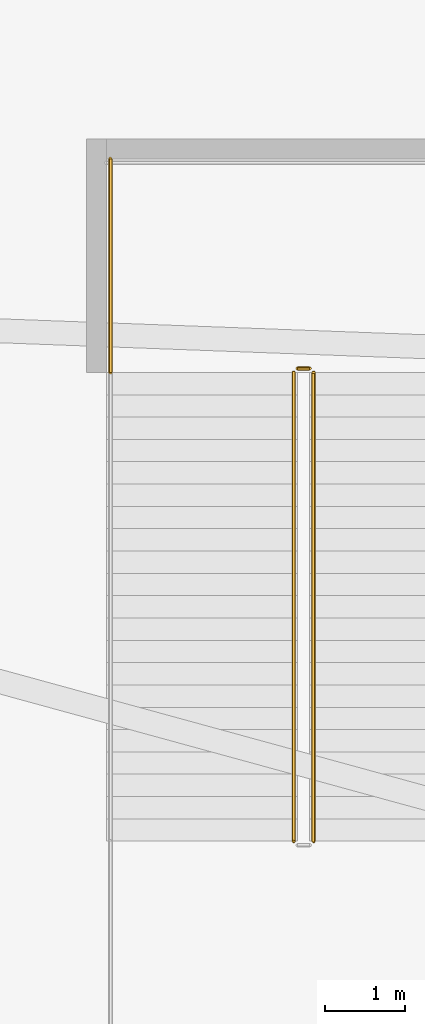
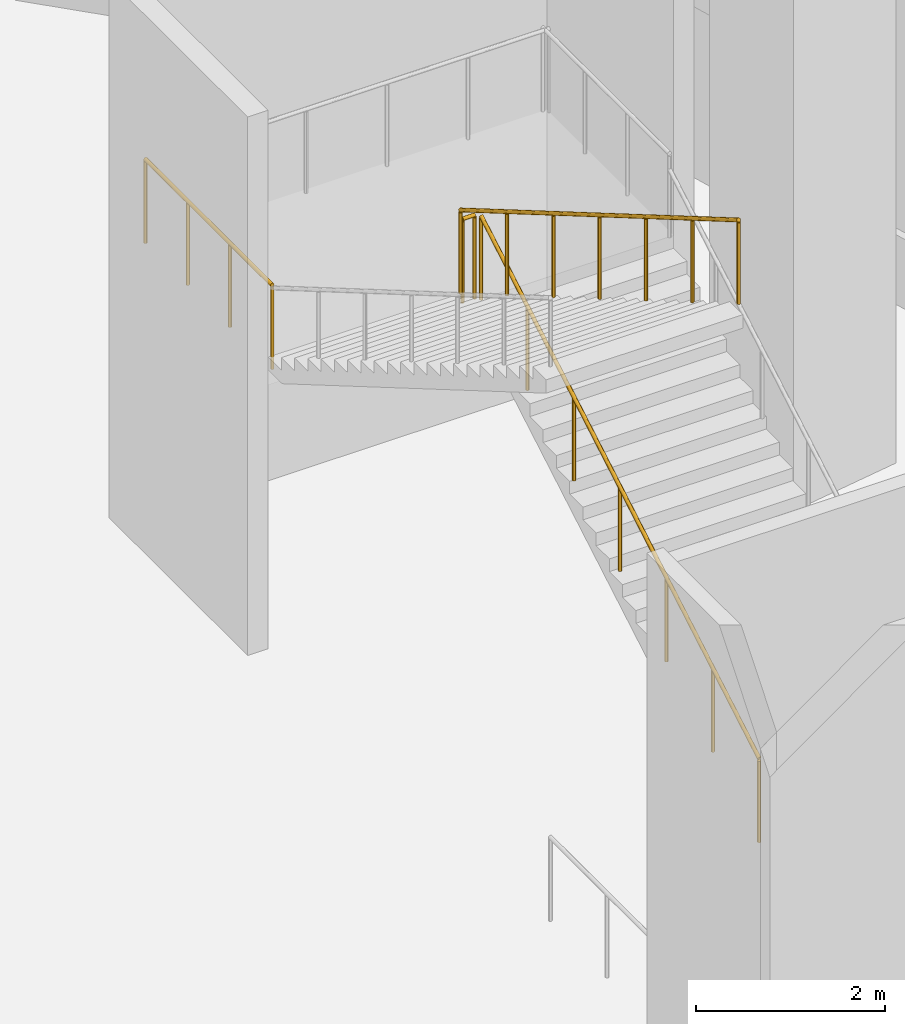
# One storey, part 23 of 27: 4 railings.
"""IFC4 building model written with IfcOpenShell, lengths in metres."""

from ifc_helpers import new_model, si_unit, direction, frame, origin, origin_2d, place, context, subcontext, project, spatial, circle, extrude, material, type_object, element, save


model = new_model("IFC4")

# Units and contexts
model_context = context("Model", 3, precision=1e-05, world=origin(), true_north=direction((0.0, 1.0)))
body_context = subcontext(model_context, "Body", "Model", "MODEL_VIEW")
ifc_project = project(units=[si_unit("LENGTHUNIT", "METRE"), si_unit("AREAUNIT", "SQUARE_METRE"), si_unit("VOLUMEUNIT", "CUBIC_METRE"), si_unit("PLANEANGLEUNIT", "RADIAN"), si_unit("MASSUNIT", "GRAM", prefix="KILO")], contexts=[model_context])

# Site, building, storey
site_placement = place(None, origin())
site = spatial("IfcSite", under=ifc_project, at=site_placement, CompositionType="ELEMENT")
building_placement = place(site_placement, origin())
building = spatial("IfcBuilding", under=site, at=building_placement, Name="Rubra Terraces Tower", CompositionType="ELEMENT")
storey_placement = place(building_placement, origin())
storey = spatial("IfcBuildingStorey", under=building, at=storey_placement, Name="L00", CompositionType="ELEMENT", Elevation=0.0)

# Railings
ifc_material = material(Name="Stainless steel", Category="steel")
railing_type = type_object("IfcRailingType", Name="Public stair guard 1100", PredefinedType="GUARDRAIL", material=ifc_material)
railing_1_placement = place(storey_placement, frame((22.550048828125, -2.60009765625, 0.16357421875)))
element("IfcRailing", 1, at=railing_1_placement, inside=storey, type_object=railing_type, Name="L00 PS2 stair guard 1", PredefinedType="GUARDRAIL", context=body_context, shape_type="SweptSolid", body=[
    extrude(circle(Radius=0.02392578125, at=origin_2d()), frame((0.0, 0.0, 1.076171875), z_axis=(0.0, 0.863366468381, 0.504577388787), x_axis=(-1.0, 0.0, 0.0)), (0.0, 0.0, 1.0), 6.810791015625),
    extrude(circle(Radius=0.02099609375, at=origin_2d()), origin(), (0.0, 0.0, 1.0), 1.052001953125),
    extrude(circle(Radius=0.02099609375, at=origin_2d()), frame((0.0, 0.97998046875, 0.57275390625)), (0.0, 0.0, 1.0), 1.052001953125),
    extrude(circle(Radius=0.02099609375, at=origin_2d()), frame((0.0, 1.9599609375, 1.1455078125)), (0.0, 0.0, 1.0), 1.052001953125),
    extrude(circle(Radius=0.02099609375, at=origin_2d()), frame((0.0, 2.93994140625, 1.71826171875)), (0.0, 0.0, 1.0), 1.052001953125),
    extrude(circle(Radius=0.02099609375, at=origin_2d()), frame((0.0, 3.920166015625, 2.291015625)), (0.0, 0.0, 1.0), 1.052001953125),
    extrude(circle(Radius=0.02099609375, at=origin_2d()), frame((0.0, 4.900146484375, 2.86376953125)), (0.0, 0.0, 1.0), 1.052001953125),
    extrude(circle(Radius=0.02099609375, at=origin_2d()), frame((0.0, 5.880126953125, 3.4365234375)), (0.0, 0.0, 1.0), 1.052001953125),
])
railing_2_placement = place(storey_placement, frame((22.5, 3.330078125, 3.60009765625)))
element("IfcRailing", 2, at=railing_2_placement, inside=storey, type_object=railing_type, Name="L00 PS2 stair guard 2", PredefinedType="GUARDRAIL", context=body_context, shape_type="SweptSolid", body=[
    extrude(circle(Radius=0.02392578125, at=origin_2d()), frame((0.0, 0.0, 1.076171875), z_axis=(-1.0, 0.0, 0.0), x_axis=(0.0, -1.0, 0.0)), (0.0, 0.0, 1.0), 0.14990234375),
    extrude(circle(Radius=0.02099609375, at=origin_2d()), origin(), (0.0, 0.0, 1.0), 1.052001953125),
    extrude(circle(Radius=0.02099609375, at=origin_2d()), frame((-0.14990234375, 0.0, 0.0)), (0.0, 0.0, 1.0), 1.052001953125),
])
railing_3_placement = place(storey_placement, frame((20.0, 3.280029296875, 3.60009765625)))
element("IfcRailing", 3, at=railing_3_placement, inside=storey, type_object=railing_type, Name="L00 PS2 stair guard 4", PredefinedType="GUARDRAIL", context=body_context, shape_type="SweptSolid", body=[
    extrude(circle(Radius=0.02392578125, at=origin_2d()), frame((0.0, 0.0, 1.076171875), z_axis=(0.0, 1.0, 0.0), x_axis=(-1.0, 0.0, 0.0)), (0.0, 0.0, 1.0), 2.679931640625),
    extrude(circle(Radius=0.02099609375, at=origin_2d()), origin(), (0.0, 0.0, 1.0), 1.052001953125),
    extrude(circle(Radius=0.02099609375, at=origin_2d()), frame((0.0, 0.893310546875, 0.0)), (0.0, 0.0, 1.0), 1.052001953125),
    extrude(circle(Radius=0.02099609375, at=origin_2d()), frame((0.0, 1.78662109375, 0.0)), (0.0, 0.0, 1.0), 1.052001953125),
    extrude(circle(Radius=0.02099609375, at=origin_2d()), frame((0.0, 2.679931640625, 0.0)), (0.0, 0.0, 1.0), 1.052001953125),
])
railing_4_placement = place(storey_placement, frame((22.300048828125, 3.280029296875, 3.763671875)))
element("IfcRailing", 4, at=railing_4_placement, inside=storey, type_object=railing_type, Name="L00 PS2 stair guard 6", PredefinedType="GUARDRAIL", context=body_context, shape_type="SweptSolid", body=[
    extrude(circle(Radius=0.02392578125, at=origin_2d()), frame((0.0, 0.0, 1.076171875), z_axis=(0.0, -0.863382084311, 0.504550667913), x_axis=(1.0, 0.0, 0.0)), (0.0, 0.0, 1.0), 6.810546875),
    extrude(circle(Radius=0.02099609375, at=origin_2d()), origin(), (0.0, 0.0, 1.0), 1.052001953125),
    extrude(circle(Radius=0.02099609375, at=origin_2d()), frame((0.0, -0.97998046875, 0.57275390625)), (0.0, 0.0, 1.0), 1.052001953125),
    extrude(circle(Radius=0.02099609375, at=origin_2d()), frame((0.0, -1.9599609375, 1.1455078125)), (0.0, 0.0, 1.0), 1.052001953125),
    extrude(circle(Radius=0.02099609375, at=origin_2d()), frame((0.0, -2.93994140625, 1.71826171875)), (0.0, 0.0, 1.0), 1.052001953125),
    extrude(circle(Radius=0.02099609375, at=origin_2d()), frame((0.0, -3.920166015625, 2.290771484375)), (0.0, 0.0, 1.0), 1.052001953125),
    extrude(circle(Radius=0.02099609375, at=origin_2d()), frame((0.0, -4.900146484375, 2.863525390625)), (0.0, 0.0, 1.0), 1.052001953125),
    extrude(circle(Radius=0.02099609375, at=origin_2d()), frame((0.0, -5.880126953125, 3.436279296875)), (0.0, 0.0, 1.0), 1.052001953125),
])

save(model, "model.ifc")
